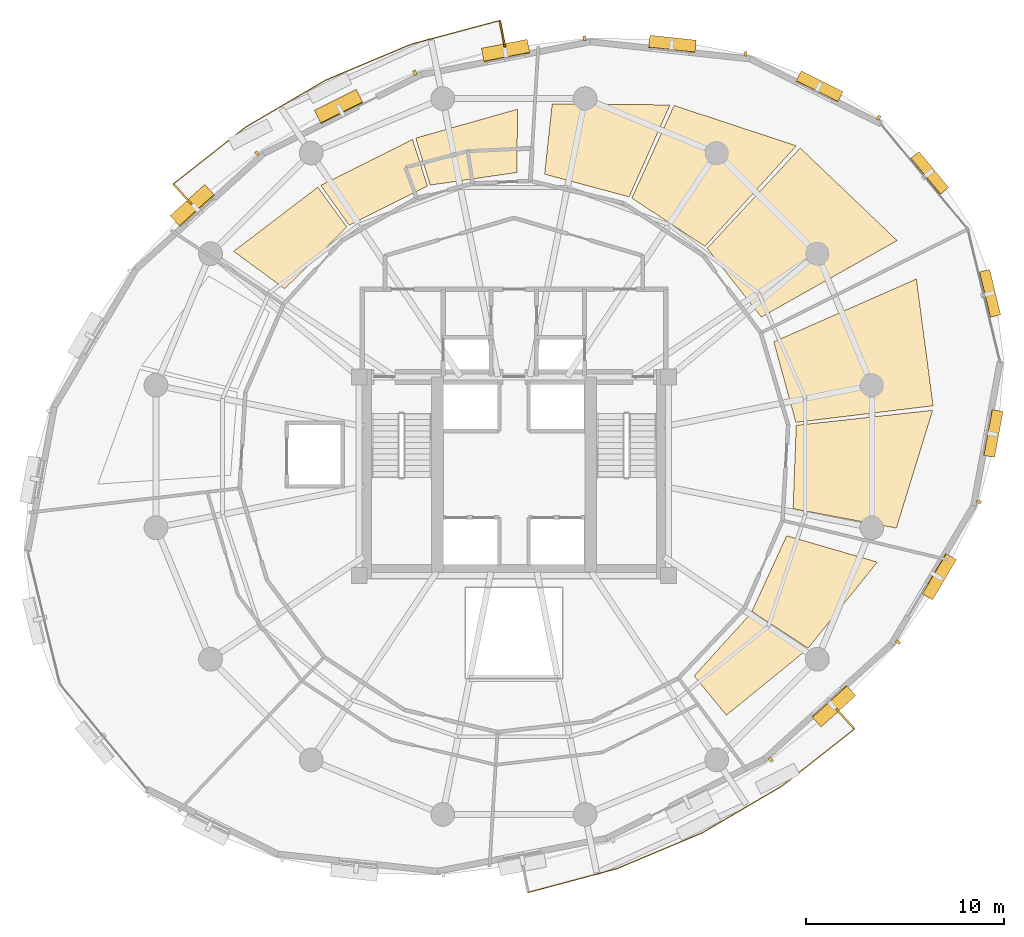
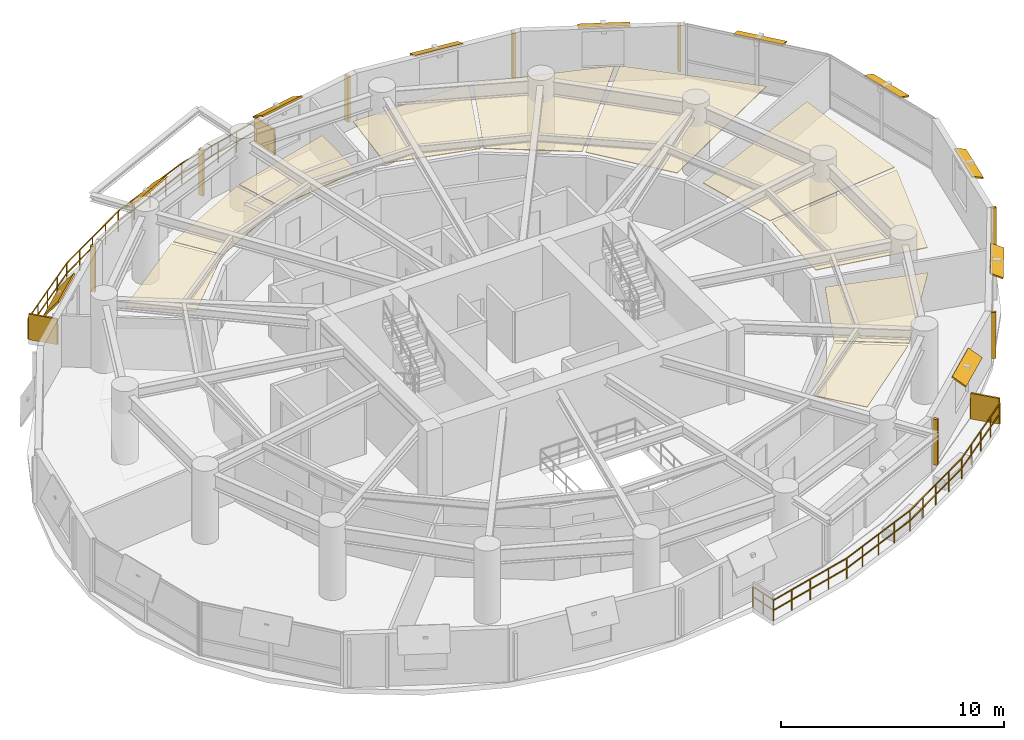
# One storey, part 14 of 14: 21 shading devices, 10 coverings, 2 railings.
"""IFC4 building model written with IfcOpenShell, lengths in metres."""

import ifcopenshell
import ifcopenshell.guid

model = None  # the IFC model being written
_history = None  # IfcOwnerHistory: only IFC2X3 demands one
_inside = {}  # id of a spatial element -> (the spatial element, [elements in it])
_under = {}  # id of a project, library or spatial element -> (it, [spatial elements below it])
_declared = {}  # id of a project -> (the project, [libraries it declares])
_typed = {}  # id of a type object -> (the type object, [elements of that type])
_made_of = {}  # id of a material, layer set ... -> (it, [elements and type objects made of it])


def new_model(schema):
    """Start an empty IFC model of exactly this schema.

    Asked for "IFC4X3", IfcOpenShell would pick the latest addendum, in which some entities
    have other attributes; the version numbers below select the first issue.
    IFC2X3 requires an IfcOwnerHistory on every rooted entity: one is made here for all.
    """
    global model, _history
    if schema == "IFC4X3":
        model = ifcopenshell.file(schema_version=(4, 3, 0, 0))
    else:
        model = ifcopenshell.file(schema=schema)
    _inside.clear()
    _under.clear()
    _declared.clear()
    _typed.clear()
    _made_of.clear()
    _history = None
    if model.schema == "IFC2X3":
        org = make("IfcOrganization", Name="unknown")
        user = make(
            "IfcPersonAndOrganization",
            ThePerson=make("IfcPerson", FamilyName="unknown"),
            TheOrganization=org,
        )
        app = make(
            "IfcApplication",
            ApplicationDeveloper=org,
            Version="unknown",
            ApplicationFullName="unknown",
            ApplicationIdentifier="unknown",
        )
        _history = make(
            "IfcOwnerHistory",
            OwningUser=user,
            OwningApplication=app,
            ChangeAction="ADDED",
            CreationDate=0,
        )
    return model


def make(cls, **values):
    """One entity of the class cls with the attributes given. An attribute that is None is left unset."""
    return model.create_entity(
        cls, **{name: value for name, value in values.items() if value is not None}
    )


def rooted(cls, **values):
    """An entity with a GlobalId (a new one), such as an element, a storey or a relation."""
    return make(cls, GlobalId=ifcopenshell.guid.new(), OwnerHistory=_history, **values)


def si_unit(unit_type, name, prefix=None):
    """IfcSIUnit, for example si_unit("LENGTHUNIT", "METRE", prefix="MILLI")."""
    return make("IfcSIUnit", UnitType=unit_type, Prefix=prefix, Name=name)


def assignment(units):
    """IfcUnitAssignment: the units of a project."""
    return None if units is None else make("IfcUnitAssignment", Units=units)


def point(xyz):
    """IfcCartesianPoint."""
    return None if xyz is None else make("IfcCartesianPoint", Coordinates=xyz)


def direction(xyz):
    """IfcDirection."""
    return None if xyz is None else make("IfcDirection", DirectionRatios=xyz)


def frame(location, z_axis=None, x_axis=None):
    """IfcAxis2Placement3D, a coordinate frame: its origin and axes. An axis left out is left unset."""
    return make(
        "IfcAxis2Placement3D",
        Location=point(location),
        Axis=direction(z_axis),
        RefDirection=direction(x_axis),
    )


def frame_2d(location, x_axis=None):
    """IfcAxis2Placement2D, a coordinate frame in the plane: its origin and x axis."""
    return make(
        "IfcAxis2Placement2D", Location=point(location), RefDirection=direction(x_axis)
    )


def origin():
    """The frame at (0, 0, 0) with its axes left unset."""
    return frame((0.0, 0.0, 0.0))


def origin_2d():
    """The frame at (0, 0) in the plane with its x axis left unset."""
    return frame_2d((0.0, 0.0))


def place(relative_to, where):
    """IfcLocalPlacement: puts the frame where relative to a parent placement (None: the world)."""
    return make(
        "IfcLocalPlacement", PlacementRelTo=relative_to, RelativePlacement=where
    )


def context(
    kind, dimensions, precision=None, world=None, true_north=None, identifier=None
):
    """IfcGeometricRepresentationContext, for example the 3D "Model" context."""
    return make(
        "IfcGeometricRepresentationContext",
        ContextIdentifier=identifier,
        ContextType=kind,
        CoordinateSpaceDimension=dimensions,
        Precision=precision,
        WorldCoordinateSystem=world,
        TrueNorth=true_north,
    )


def subcontext(parent, identifier, kind, view, scale=None):
    """IfcGeometricRepresentationSubContext, for example "Body" below "Model"."""
    return make(
        "IfcGeometricRepresentationSubContext",
        ContextIdentifier=identifier,
        ContextType=kind,
        ParentContext=parent,
        TargetScale=scale,
        TargetView=view,
    )


def project(units=None, contexts=None):
    """IfcProject with its units and contexts."""
    return rooted(
        "IfcProject",
        Name="project",
        RepresentationContexts=contexts,
        UnitsInContext=assignment(units),
    )


def spatial(cls, under=None, at=None, **own):
    """A site, building, storey or space (cls), placed at a placement, below another one or the project."""
    s = rooted(cls, ObjectPlacement=at, **own)
    if under is not None:
        _under.setdefault(under.id(), (under, []))[1].append(s)
    return s


def polyline(points):
    """IfcPolyline through the points."""
    return make("IfcPolyline", Points=[point(p) for p in points])


def profile(cls, at=None, kind="AREA", **sizes):
    """A parametric profile (cls). Its sizes go by their IFC names, for example OverallWidth=200.0."""
    return make(cls, ProfileType=kind, Position=at, **sizes)


def rectangle(**sizes):
    """IfcRectangleProfileDef."""
    return profile("IfcRectangleProfileDef", **sizes)


def outline(outer, holes=None, kind="AREA"):
    """IfcArbitraryClosedProfileDef: a profile drawn as a closed curve; with holes, ...WithVoids."""
    if holes is None:
        return make("IfcArbitraryClosedProfileDef", ProfileType=kind, OuterCurve=outer)
    return make(
        "IfcArbitraryProfileDefWithVoids",
        ProfileType=kind,
        OuterCurve=outer,
        InnerCurves=holes,
    )


def extrude(swept, where, along, depth):
    """IfcExtrudedAreaSolid: the profile swept, set in the frame where, extruded along a direction by depth."""
    return make(
        "IfcExtrudedAreaSolid",
        SweptArea=swept,
        Position=where,
        ExtrudedDirection=direction(along),
        Depth=depth,
    )


def shape(context_of_items, identifier, shape_type, items):
    """IfcShapeRepresentation: the items that make up one representation, for example the "Body"."""
    return make(
        "IfcShapeRepresentation",
        ContextOfItems=context_of_items,
        RepresentationIdentifier=identifier,
        RepresentationType=shape_type,
        Items=items,
    )


def material(Name=None, Category=None):
    """IfcMaterial."""
    return make("IfcMaterial", Name=Name, Category=Category)


def layer(
    of_material, thickness, ventilated=None, Name=None, Category=None, Priority=None
):
    """IfcMaterialLayer: one layer of a wall or slab, of a material (None: an air gap)."""
    return make(
        "IfcMaterialLayer",
        Material=of_material,
        LayerThickness=thickness,
        IsVentilated=ventilated,
        Name=Name,
        Category=Category,
        Priority=Priority,
    )


def layer_set(layers, Name=None):
    """IfcMaterialLayerSet."""
    return make("IfcMaterialLayerSet", MaterialLayers=layers, LayerSetName=Name)


def made_of(thing, what):
    """Note that an element or type object is made of a material, layer set ...; save() writes the relation."""
    if what is not None:
        _made_of.setdefault(what.id(), (what, []))[1].append(thing)
    return thing


def type_object(cls, material=None, **own):
    """A type object (cls), such as IfcWallType, which elements share."""
    return made_of(rooted(cls, **own), material)


def element(
    cls,
    number,
    at=None,
    inside=None,
    cuts=None,
    type_object=None,
    material=None,
    context=None,
    identifier="Body",
    shape_type=None,
    held_by="IfcProductDefinitionShape",
    body=None,
    shapes=None,
    **own,
):
    """One element of the class cls, such as IfcWall. Its Tag is "e" and its number.

    at: its placement. inside: the storey or other place that contains it. cuts: it is an
    opening in that element (IfcRelVoidsElement). A single representation is given by context,
    identifier, shape_type and body (its items); several are given by shapes. held_by: the class
    of the entity that holds the representations. save() writes the other relations.
    """
    e = rooted(cls, Tag="e%d" % number, ObjectPlacement=at, **own)
    if body is not None:
        shapes = [shape(context, identifier, shape_type, body)]
    if shapes is not None:
        e.Representation = make(held_by, Representations=shapes)
    if inside is not None:
        _inside.setdefault(inside.id(), (inside, []))[1].append(e)
    if cuts is not None:
        rooted(
            "IfcRelVoidsElement", RelatingBuildingElement=cuts, RelatedOpeningElement=e
        )
    if type_object is not None:
        _typed.setdefault(type_object.id(), (type_object, []))[1].append(e)
    return made_of(e, material)


def aggregate(whole, parts):
    """IfcRelAggregates: a whole, such as a stair, and the parts it consists of."""
    return rooted("IfcRelAggregates", RelatingObject=whole, RelatedObjects=parts)


def save(model, path):
    """Write the relations noted so far, then the file.

    IfcRelAggregates (storeys below a building ...), IfcRelContainedInSpatialStructure (elements
    in a storey), IfcRelDefinesByType, IfcRelAssociatesMaterial and IfcRelDeclares: one each for
    every whole, place, type object, material and project.
    """
    for whole, parts in _under.values():
        aggregate(whole, parts)
    for where, things in _inside.values():
        rooted(
            "IfcRelContainedInSpatialStructure",
            RelatedElements=things,
            RelatingStructure=where,
        )
    for kind, things in _typed.values():
        rooted("IfcRelDefinesByType", RelatedObjects=things, RelatingType=kind)
    for what, things in _made_of.values():
        rooted("IfcRelAssociatesMaterial", RelatedObjects=things, RelatingMaterial=what)
    for by, libraries in _declared.values():
        rooted("IfcRelDeclares", RelatingContext=by, RelatedDefinitions=libraries)
    model.write(path)


model = new_model("IFC4")

# Units and contexts
model_context = context("Model", 3, precision=1e-05, world=origin(), true_north=direction((0.0, 1.0)))
body_context = subcontext(model_context, "Body", "Model", "MODEL_VIEW")
ifc_project = project(units=[si_unit("LENGTHUNIT", "METRE"), si_unit("AREAUNIT", "SQUARE_METRE"), si_unit("VOLUMEUNIT", "CUBIC_METRE"), si_unit("PLANEANGLEUNIT", "RADIAN"), si_unit("MASSUNIT", "GRAM", prefix="KILO"), si_unit("THERMODYNAMICTEMPERATUREUNIT", "KELVIN"), si_unit("POWERUNIT", "WATT")], contexts=[model_context])

# Site, building, storey
site_placement = place(None, origin())
site = spatial("IfcSite", under=ifc_project, at=site_placement, CompositionType="ELEMENT")
building_placement = place(site_placement, origin())
building = spatial("IfcBuilding", under=site, at=building_placement, Name="Ocrelia Relay Tower", CompositionType="ELEMENT")
storey_placement = place(building_placement, frame((0.0, 0.0, 145.800048828125)))
storey = spatial("IfcBuildingStorey", under=building, at=storey_placement, Name="L34", CompositionType="ELEMENT", Elevation=145.800048828125)

# Coverings
ifc_material_1 = material(Name="Mineral-fiber acoustic ceiling tile", Category="gypsum")
ifc_layer_1 = layer(ifc_material_1, 0.0400390625, Name="Mineral-fiber acoustic ceiling tile")
ifc_layer_set_1 = layer_set([ifc_layer_1], Name="Mineral-fiber acoustic ceiling tile")
covering_type = type_object("IfcCoveringType", Name="COV-CEIL-ACOUSTIC", PredefinedType="CEILING", material=ifc_layer_set_1)
covering_1_placement = place(storey_placement, frame((0.0, 0.0, 2.719970703125)))
element("IfcCovering", 1, at=covering_1_placement, inside=storey, type_object=covering_type, Name="L34 Network Engineering Office Suspended Ceiling 1", PredefinedType="CEILING", context=body_context, shape_type="SweptSolid", body=[
    extrude(outline(polyline([(34.14990234375, 40.319091796875), (34.183349609375, 43.51220703125), (29.051025390625, 42.053466796875), (29.781494140625, 39.6845703125), (34.14990234375, 40.319091796875)])), origin(), (0.0, 0.0, 1.0), 0.0400390625),
])
covering_2_placement = place(storey_placement, frame((0.0, 0.0, 2.719970703125)))
element("IfcCovering", 2, at=covering_2_placement, inside=storey, type_object=covering_type, Name="L34 Network Engineering Office Suspended Ceiling 2", PredefinedType="CEILING", context=body_context, shape_type="SweptSolid", body=[
    extrude(outline(polyline([(29.63818359375, 39.6396484375), (28.886962890625, 41.9892578125), (24.259765625, 39.672119140625), (25.691162109375, 37.6630859375), (29.63818359375, 39.6396484375)])), origin(), (0.0, 0.0, 1.0), 0.0400390625),
])
covering_3_placement = place(storey_placement, frame((0.0, 0.0, 2.719970703125)))
element("IfcCovering", 3, at=covering_3_placement, inside=storey, type_object=covering_type, Name="L34 Network Engineering Office Suspended Ceiling 3", PredefinedType="CEILING", context=body_context, shape_type="SweptSolid", body=[
    extrude(outline(polyline([(25.5693359375, 37.5751953125), (24.110107421875, 39.5791015625), (19.86767578125, 36.343505859375), (22.4443359375, 34.45751953125), (25.5693359375, 37.5751953125)])), origin(), (0.0, 0.0, 1.0), 0.0400390625),
])
covering_4_placement = place(storey_placement, frame((0.0, 0.0, 2.719970703125)))
element("IfcCovering", 4, at=covering_4_placement, inside=storey, type_object=covering_type, Name="L34 Peering Conference Room Suspended Ceiling 1", PredefinedType="CEILING", context=body_context, shape_type="SweptSolid", body=[
    extrude(outline(polyline([(43.08935546875, 14.9345703125), (44.71484375, 12.95556640625), (48.698974609375, 16.197021484375), (45.91357421875, 18.0546875), (43.08935546875, 14.9345703125)])), origin(), (0.0, 0.0, 1.0), 0.0400390625),
])
covering_5_placement = place(storey_placement, frame((0.0, 0.0, 2.719970703125)))
element("IfcCovering", 5, at=covering_5_placement, inside=storey, type_object=covering_type, Name="L34 Peering Conference Room Suspended Ceiling 2", PredefinedType="CEILING", context=body_context, shape_type="SweptSolid", body=[
    extrude(outline(polyline([(45.99609375, 18.1796875), (48.83349609375, 16.330078125), (52.31982421875, 20.677490234375), (47.75146484375, 22.0048828125), (45.99609375, 18.1796875)])), origin(), (0.0, 0.0, 1.0), 0.0400390625),
])
covering_6_placement = place(storey_placement, frame((0.0, 0.0, 2.719970703125)))
element("IfcCovering", 6, at=covering_6_placement, inside=storey, type_object=covering_type, Name="L34 Carrier Patching Workspace Suspended Ceiling 1", PredefinedType="CEILING", context=body_context, shape_type="SweptSolid", body=[
    extrude(outline(polyline([(48.07568359375, 23.36572265625), (53.2841796875, 22.39111328125), (55.11279296875, 28.330810546875), (48.2333984375, 27.5712890625), (48.07568359375, 23.36572265625)])), origin(), (0.0, 0.0, 1.0), 0.0400390625),
])
covering_7_placement = place(storey_placement, frame((0.0, 0.0, 2.719970703125)))
element("IfcCovering", 7, at=covering_7_placement, inside=storey, type_object=covering_type, Name="L34 Carrier Patching Workspace Suspended Ceiling 2", PredefinedType="CEILING", context=body_context, shape_type="SweptSolid", body=[
    extrude(outline(polyline([(48.21630859375, 27.720458984375), (55.13720703125, 28.557861328125), (54.29345703125, 34.950439453125), (47.102294921875, 31.77880859375), (48.21630859375, 27.720458984375)])), origin(), (0.0, 0.0, 1.0), 0.0400390625),
])
covering_8_placement = place(storey_placement, frame((0.0, 0.0, 2.719970703125)))
element("IfcCovering", 8, at=covering_8_placement, inside=storey, type_object=covering_type, Name="L34 Shift Staff Lounge Suspended Ceiling 1", PredefinedType="CEILING", context=body_context, shape_type="SweptSolid", body=[
    extrude(outline(polyline([(46.475830078125, 33.02978515625), (53.3232421875, 36.88818359375), (48.4365234375, 41.5537109375), (43.74169921875, 36.49560546875), (46.475830078125, 33.02978515625)])), origin(), (0.0, 0.0, 1.0), 0.0400390625),
])
covering_9_placement = place(storey_placement, frame((0.0, 0.0, 2.719970703125)))
element("IfcCovering", 9, at=covering_9_placement, inside=storey, type_object=covering_type, Name="L34 Shift Staff Lounge Suspended Ceiling 2", PredefinedType="CEILING", context=body_context, shape_type="SweptSolid", body=[
    extrude(outline(polyline([(43.63134765625, 36.59716796875), (48.23828125, 41.666015625), (42.078125, 43.69873046875), (39.946044921875, 39.027099609375), (43.63134765625, 36.59716796875)])), origin(), (0.0, 0.0, 1.0), 0.0400390625),
])
covering_10_placement = place(storey_placement, frame((0.0, 0.0, 2.719970703125)))
element("IfcCovering", 10, at=covering_10_placement, inside=storey, type_object=covering_type, Name="L34 Shift Staff Lounge Suspended Ceiling 3", PredefinedType="CEILING", context=body_context, shape_type="SweptSolid", body=[
    extrude(outline(polyline([(39.80908203125, 39.088623046875), (41.86865234375, 43.72900390625), (35.930908203125, 43.77294921875), (35.546630859375, 40.236083984375), (39.80908203125, 39.088623046875)])), origin(), (0.0, 0.0, 1.0), 0.0400390625),
])

# Railings
ifc_material_2 = material(Name="Steel S355 balustrade", Category="steel")
railing_type = type_object("IfcRailingType", Name="RL-EXT-GUARD-1150", PredefinedType="GUARDRAIL", material=ifc_material_2)
railing_1_placement = place(storey_placement, frame((17.7587890625, 38.707763671875, 0.0)))
element("IfcRailing", 11, at=railing_1_placement, inside=storey, type_object=railing_type, Name="L34 Loggia Balcony Guard Rail B1", PredefinedType="GUARDRAIL", context=body_context, shape_type="SweptSolid", body=[
    extrude(rectangle(XDim=0.048095703125, YDim=0.048095703125, at=origin_2d()), frame((0.0, 0.0, 1.1259765625), z_axis=(-0.672480905357, 0.74011447218, 0.0), x_axis=(-0.74011447218, -0.672480905357, 0.0)), (0.0, 0.0, 1.0), 1.393310546875),
    extrude(rectangle(XDim=0.048095703125, YDim=0.048095703125, at=origin_2d()), frame((0.0, 0.0, 0.574951171875), z_axis=(-0.672480905357, 0.74011447218, 0.0), x_axis=(-0.74011447218, -0.672480905357, 0.0)), (0.0, 0.0, 1.0), 1.393310546875),
    extrude(rectangle(XDim=0.048095703125, YDim=0.048095703125, at=origin_2d()), frame((-0.93701171875, 1.03125, 1.1259765625), z_axis=(0.785608130717, 0.618724385289, 0.0), x_axis=(-0.618724385289, 0.785608130717, 0.0)), (0.0, 0.0, 1.0), 2.31591796875),
    extrude(rectangle(XDim=0.048095703125, YDim=0.048095703125, at=origin_2d()), frame((-0.93701171875, 1.03125, 0.574951171875), z_axis=(0.785608130717, 0.618724385289, 0.0), x_axis=(-0.618724385289, 0.785608130717, 0.0)), (0.0, 0.0, 1.0), 2.31591796875),
    extrude(rectangle(XDim=0.048095703125, YDim=0.048095703125, at=origin_2d()), frame((0.88232421875, 2.464111328125, 1.1259765625), z_axis=(0.785659374574, 0.618659314278, 0.0), x_axis=(-0.618659314278, 0.785659374574, 0.0)), (0.0, 0.0, 1.0), 2.315673828125),
    extrude(rectangle(XDim=0.048095703125, YDim=0.048095703125, at=origin_2d()), frame((0.88232421875, 2.464111328125, 0.574951171875), z_axis=(0.785659374574, 0.618659314278, 0.0), x_axis=(-0.618659314278, 0.785659374574, 0.0)), (0.0, 0.0, 1.0), 2.315673828125),
    extrude(rectangle(XDim=0.048095703125, YDim=0.048095703125, at=origin_2d()), frame((2.70166015625, 3.896728515625, 1.1259765625), z_axis=(0.862149938792, 0.506653217735, 0.0), x_axis=(-0.506653217735, 0.862149938792, 0.0)), (0.0, 0.0, 1.0), 4.682373046875),
    extrude(rectangle(XDim=0.048095703125, YDim=0.048095703125, at=origin_2d()), frame((2.70166015625, 3.896728515625, 0.574951171875), z_axis=(0.862149938792, 0.506653217735, 0.0), x_axis=(-0.506653217735, 0.862149938792, 0.0)), (0.0, 0.0, 1.0), 4.682373046875),
    extrude(rectangle(XDim=0.048095703125, YDim=0.048095703125, at=origin_2d()), frame((6.738525390625, 6.26904296875, 1.1259765625), z_axis=(0.922136181008, 0.38686543355, 0.0), x_axis=(-0.38686543355, 0.922136181008, 0.0)), (0.0, 0.0, 1.0), 4.681884765625),
    extrude(rectangle(XDim=0.048095703125, YDim=0.048095703125, at=origin_2d()), frame((6.738525390625, 6.26904296875, 0.574951171875), z_axis=(0.922136181008, 0.38686543355, 0.0), x_axis=(-0.38686543355, 0.922136181008, 0.0)), (0.0, 0.0, 1.0), 4.681884765625),
    extrude(rectangle(XDim=0.048095703125, YDim=0.048095703125, at=origin_2d()), frame((11.055908203125, 8.080322265625, 1.1259765625), z_axis=(0.966010600807, 0.258502454783, 0.0), x_axis=(-0.258502454783, 0.966010600807, 0.0)), (0.0, 0.0, 1.0), 2.315673828125),
    extrude(rectangle(XDim=0.048095703125, YDim=0.048095703125, at=origin_2d()), frame((11.055908203125, 8.080322265625, 0.574951171875), z_axis=(0.966010600807, 0.258502454783, 0.0), x_axis=(-0.258502454783, 0.966010600807, 0.0)), (0.0, 0.0, 1.0), 2.315673828125),
    extrude(rectangle(XDim=0.048095703125, YDim=0.048095703125, at=origin_2d()), frame((13.29296875, 8.678955078125, 1.1259765625), z_axis=(0.966036922871, 0.258404070496, 0.0), x_axis=(-0.258404070496, 0.966036922871, 0.0)), (0.0, 0.0, 1.0), 2.315673828125),
    extrude(rectangle(XDim=0.048095703125, YDim=0.048095703125, at=origin_2d()), frame((13.29296875, 8.678955078125, 0.574951171875), z_axis=(0.966036922871, 0.258404070496, 0.0), x_axis=(-0.258404070496, 0.966036922871, 0.0)), (0.0, 0.0, 1.0), 2.315673828125),
    extrude(rectangle(XDim=0.048095703125, YDim=0.048095703125, at=origin_2d()), frame((15.530029296875, 9.27734375, 1.1259765625), z_axis=(0.189945628819, -0.981794610951, 0.0), x_axis=(0.981794610951, 0.189945628819, 0.0)), (0.0, 0.0, 1.0), 1.393310546875),
    extrude(rectangle(XDim=0.048095703125, YDim=0.048095703125, at=origin_2d()), frame((15.530029296875, 9.27734375, 0.574951171875), z_axis=(0.189945628819, -0.981794610951, 0.0), x_axis=(0.981794610951, 0.189945628819, 0.0)), (0.0, 0.0, 1.0), 1.393310546875),
    extrude(rectangle(XDim=0.0419921875, YDim=0.0419921875, at=origin_2d()), origin(), (0.0, 0.0, 1.0), 1.101806640625),
    extrude(rectangle(XDim=0.0419921875, YDim=0.0419921875, at=origin_2d()), frame((-0.468505859375, 0.515625, 0.0)), (0.0, 0.0, 1.0), 1.101806640625),
    extrude(rectangle(XDim=0.0419921875, YDim=0.0419921875, at=origin_2d()), frame((-0.93701171875, 1.03125, 0.0)), (0.0, 0.0, 1.0), 1.101806640625),
    extrude(rectangle(XDim=0.0419921875, YDim=0.0419921875, at=origin_2d()), frame((-0.02734375, 1.74755859375, 0.0)), (0.0, 0.0, 1.0), 1.101806640625),
    extrude(rectangle(XDim=0.0419921875, YDim=0.0419921875, at=origin_2d()), frame((0.88232421875, 2.464111328125, 0.0)), (0.0, 0.0, 1.0), 1.101806640625),
    extrude(rectangle(XDim=0.0419921875, YDim=0.0419921875, at=origin_2d()), frame((1.7919921875, 3.180419921875, 0.0)), (0.0, 0.0, 1.0), 1.101806640625),
    extrude(rectangle(XDim=0.0419921875, YDim=0.0419921875, at=origin_2d()), frame((2.70166015625, 3.896728515625, 0.0)), (0.0, 0.0, 1.0), 1.101806640625),
    extrude(rectangle(XDim=0.0419921875, YDim=0.0419921875, at=origin_2d()), frame((3.7109375, 4.48974609375, 0.0)), (0.0, 0.0, 1.0), 1.101806640625),
    extrude(rectangle(XDim=0.0419921875, YDim=0.0419921875, at=origin_2d()), frame((4.72021484375, 5.0830078125, 0.0)), (0.0, 0.0, 1.0), 1.101806640625),
    extrude(rectangle(XDim=0.0419921875, YDim=0.0419921875, at=origin_2d()), frame((5.729248046875, 5.676025390625, 0.0)), (0.0, 0.0, 1.0), 1.101806640625),
    extrude(rectangle(XDim=0.0419921875, YDim=0.0419921875, at=origin_2d()), frame((6.738525390625, 6.26904296875, 0.0)), (0.0, 0.0, 1.0), 1.101806640625),
    extrude(rectangle(XDim=0.0419921875, YDim=0.0419921875, at=origin_2d()), frame((7.81787109375, 6.721923828125, 0.0)), (0.0, 0.0, 1.0), 1.101806640625),
    extrude(rectangle(XDim=0.0419921875, YDim=0.0419921875, at=origin_2d()), frame((8.897216796875, 7.1748046875, 0.0)), (0.0, 0.0, 1.0), 1.101806640625),
    extrude(rectangle(XDim=0.0419921875, YDim=0.0419921875, at=origin_2d()), frame((9.9765625, 7.62744140625, 0.0)), (0.0, 0.0, 1.0), 1.101806640625),
    extrude(rectangle(XDim=0.0419921875, YDim=0.0419921875, at=origin_2d()), frame((11.055908203125, 8.080322265625, 0.0)), (0.0, 0.0, 1.0), 1.101806640625),
    extrude(rectangle(XDim=0.0419921875, YDim=0.0419921875, at=origin_2d()), frame((12.17431640625, 8.379638671875, 0.0)), (0.0, 0.0, 1.0), 1.101806640625),
    extrude(rectangle(XDim=0.0419921875, YDim=0.0419921875, at=origin_2d()), frame((13.29296875, 8.678955078125, 0.0)), (0.0, 0.0, 1.0), 1.101806640625),
    extrude(rectangle(XDim=0.0419921875, YDim=0.0419921875, at=origin_2d()), frame((14.41162109375, 8.97802734375, 0.0)), (0.0, 0.0, 1.0), 1.101806640625),
    extrude(rectangle(XDim=0.0419921875, YDim=0.0419921875, at=origin_2d()), frame((15.530029296875, 9.27734375, 0.0)), (0.0, 0.0, 1.0), 1.101806640625),
    extrude(rectangle(XDim=0.0419921875, YDim=0.0419921875, at=origin_2d()), frame((15.662353515625, 8.59326171875, 0.0)), (0.0, 0.0, 1.0), 1.101806640625),
    extrude(rectangle(XDim=0.0419921875, YDim=0.0419921875, at=origin_2d()), frame((15.794677734375, 7.909423828125, 0.0)), (0.0, 0.0, 1.0), 1.101806640625),
])
railing_2_placement = place(storey_placement, frame((50.2412109375, 13.292236328125, 0.0)))
element("IfcRailing", 12, at=railing_2_placement, inside=storey, type_object=railing_type, Name="L34 Loggia Balcony Guard Rail B2", PredefinedType="GUARDRAIL", context=body_context, shape_type="SweptSolid", body=[
    extrude(rectangle(XDim=0.048095703125, YDim=0.048095703125, at=origin_2d()), frame((0.0, 0.0, 1.1259765625), z_axis=(0.672480905357, -0.74011447218, 0.0), x_axis=(0.74011447218, 0.672480905357, 0.0)), (0.0, 0.0, 1.0), 1.393310546875),
    extrude(rectangle(XDim=0.048095703125, YDim=0.048095703125, at=origin_2d()), frame((0.0, 0.0, 0.574951171875), z_axis=(0.672480905357, -0.74011447218, 0.0), x_axis=(0.74011447218, 0.672480905357, 0.0)), (0.0, 0.0, 1.0), 1.393310546875),
    extrude(rectangle(XDim=0.048095703125, YDim=0.048095703125, at=origin_2d()), frame((0.93701171875, -1.03125, 1.1259765625), z_axis=(-0.785608130717, -0.618724385289, 0.0), x_axis=(0.618724385289, -0.785608130717, 0.0)), (0.0, 0.0, 1.0), 2.31591796875),
    extrude(rectangle(XDim=0.048095703125, YDim=0.048095703125, at=origin_2d()), frame((0.93701171875, -1.03125, 0.574951171875), z_axis=(-0.785608130717, -0.618724385289, 0.0), x_axis=(0.618724385289, -0.785608130717, 0.0)), (0.0, 0.0, 1.0), 2.31591796875),
    extrude(rectangle(XDim=0.048095703125, YDim=0.048095703125, at=origin_2d()), frame((-0.88232421875, -2.464111328125, 1.1259765625), z_axis=(-0.785659374574, -0.618659314278, 0.0), x_axis=(0.618659314278, -0.785659374574, 0.0)), (0.0, 0.0, 1.0), 2.315673828125),
    extrude(rectangle(XDim=0.048095703125, YDim=0.048095703125, at=origin_2d()), frame((-0.88232421875, -2.464111328125, 0.574951171875), z_axis=(-0.785659374574, -0.618659314278, 0.0), x_axis=(0.618659314278, -0.785659374574, 0.0)), (0.0, 0.0, 1.0), 2.315673828125),
    extrude(rectangle(XDim=0.048095703125, YDim=0.048095703125, at=origin_2d()), frame((-2.70166015625, -3.896728515625, 1.1259765625), z_axis=(-0.862149938792, -0.506653217735, 0.0), x_axis=(0.506653217735, -0.862149938792, 0.0)), (0.0, 0.0, 1.0), 4.682373046875),
    extrude(rectangle(XDim=0.048095703125, YDim=0.048095703125, at=origin_2d()), frame((-2.70166015625, -3.896728515625, 0.574951171875), z_axis=(-0.862149938792, -0.506653217735, 0.0), x_axis=(0.506653217735, -0.862149938792, 0.0)), (0.0, 0.0, 1.0), 4.682373046875),
    extrude(rectangle(XDim=0.048095703125, YDim=0.048095703125, at=origin_2d()), frame((-6.738525390625, -6.26904296875, 1.1259765625), z_axis=(-0.922136181008, -0.38686543355, 0.0), x_axis=(0.38686543355, -0.922136181008, 0.0)), (0.0, 0.0, 1.0), 4.681884765625),
    extrude(rectangle(XDim=0.048095703125, YDim=0.048095703125, at=origin_2d()), frame((-6.738525390625, -6.26904296875, 0.574951171875), z_axis=(-0.922136181008, -0.38686543355, 0.0), x_axis=(0.38686543355, -0.922136181008, 0.0)), (0.0, 0.0, 1.0), 4.681884765625),
    extrude(rectangle(XDim=0.048095703125, YDim=0.048095703125, at=origin_2d()), frame((-11.055908203125, -8.080322265625, 1.1259765625), z_axis=(-0.966010600807, -0.258502454783, 0.0), x_axis=(0.258502454783, -0.966010600807, 0.0)), (0.0, 0.0, 1.0), 2.315673828125),
    extrude(rectangle(XDim=0.048095703125, YDim=0.048095703125, at=origin_2d()), frame((-11.055908203125, -8.080322265625, 0.574951171875), z_axis=(-0.966010600807, -0.258502454783, 0.0), x_axis=(0.258502454783, -0.966010600807, 0.0)), (0.0, 0.0, 1.0), 2.315673828125),
    extrude(rectangle(XDim=0.048095703125, YDim=0.048095703125, at=origin_2d()), frame((-13.29296875, -8.678955078125, 1.1259765625), z_axis=(-0.966036922871, -0.258404070496, 0.0), x_axis=(0.258404070496, -0.966036922871, 0.0)), (0.0, 0.0, 1.0), 2.315673828125),
    extrude(rectangle(XDim=0.048095703125, YDim=0.048095703125, at=origin_2d()), frame((-13.29296875, -8.678955078125, 0.574951171875), z_axis=(-0.966036922871, -0.258404070496, 0.0), x_axis=(0.258404070496, -0.966036922871, 0.0)), (0.0, 0.0, 1.0), 2.315673828125),
    extrude(rectangle(XDim=0.048095703125, YDim=0.048095703125, at=origin_2d()), frame((-15.530029296875, -9.27734375, 1.1259765625), z_axis=(-0.189945628819, 0.981794610951, 0.0), x_axis=(-0.981794610951, -0.189945628819, 0.0)), (0.0, 0.0, 1.0), 1.393310546875),
    extrude(rectangle(XDim=0.048095703125, YDim=0.048095703125, at=origin_2d()), frame((-15.530029296875, -9.27734375, 0.574951171875), z_axis=(-0.189945628819, 0.981794610951, 0.0), x_axis=(-0.981794610951, -0.189945628819, 0.0)), (0.0, 0.0, 1.0), 1.393310546875),
    extrude(rectangle(XDim=0.0419921875, YDim=0.0419921875, at=origin_2d()), origin(), (0.0, 0.0, 1.0), 1.101806640625),
    extrude(rectangle(XDim=0.0419921875, YDim=0.0419921875, at=origin_2d()), frame((0.468505859375, -0.515625, 0.0)), (0.0, 0.0, 1.0), 1.101806640625),
    extrude(rectangle(XDim=0.0419921875, YDim=0.0419921875, at=origin_2d()), frame((0.93701171875, -1.03125, 0.0)), (0.0, 0.0, 1.0), 1.101806640625),
    extrude(rectangle(XDim=0.0419921875, YDim=0.0419921875, at=origin_2d()), frame((0.02734375, -1.74755859375, 0.0)), (0.0, 0.0, 1.0), 1.101806640625),
    extrude(rectangle(XDim=0.0419921875, YDim=0.0419921875, at=origin_2d()), frame((-0.88232421875, -2.464111328125, 0.0)), (0.0, 0.0, 1.0), 1.101806640625),
    extrude(rectangle(XDim=0.0419921875, YDim=0.0419921875, at=origin_2d()), frame((-1.7919921875, -3.180419921875, 0.0)), (0.0, 0.0, 1.0), 1.101806640625),
    extrude(rectangle(XDim=0.0419921875, YDim=0.0419921875, at=origin_2d()), frame((-2.70166015625, -3.896728515625, 0.0)), (0.0, 0.0, 1.0), 1.101806640625),
    extrude(rectangle(XDim=0.0419921875, YDim=0.0419921875, at=origin_2d()), frame((-3.7109375, -4.48974609375, 0.0)), (0.0, 0.0, 1.0), 1.101806640625),
    extrude(rectangle(XDim=0.0419921875, YDim=0.0419921875, at=origin_2d()), frame((-4.72021484375, -5.0830078125, 0.0)), (0.0, 0.0, 1.0), 1.101806640625),
    extrude(rectangle(XDim=0.0419921875, YDim=0.0419921875, at=origin_2d()), frame((-5.729248046875, -5.676025390625, 0.0)), (0.0, 0.0, 1.0), 1.101806640625),
    extrude(rectangle(XDim=0.0419921875, YDim=0.0419921875, at=origin_2d()), frame((-6.738525390625, -6.26904296875, 0.0)), (0.0, 0.0, 1.0), 1.101806640625),
    extrude(rectangle(XDim=0.0419921875, YDim=0.0419921875, at=origin_2d()), frame((-7.81787109375, -6.721923828125, 0.0)), (0.0, 0.0, 1.0), 1.101806640625),
    extrude(rectangle(XDim=0.0419921875, YDim=0.0419921875, at=origin_2d()), frame((-8.897216796875, -7.1748046875, 0.0)), (0.0, 0.0, 1.0), 1.101806640625),
    extrude(rectangle(XDim=0.0419921875, YDim=0.0419921875, at=origin_2d()), frame((-9.9765625, -7.62744140625, 0.0)), (0.0, 0.0, 1.0), 1.101806640625),
    extrude(rectangle(XDim=0.0419921875, YDim=0.0419921875, at=origin_2d()), frame((-11.055908203125, -8.080322265625, 0.0)), (0.0, 0.0, 1.0), 1.101806640625),
    extrude(rectangle(XDim=0.0419921875, YDim=0.0419921875, at=origin_2d()), frame((-12.17431640625, -8.379638671875, 0.0)), (0.0, 0.0, 1.0), 1.101806640625),
    extrude(rectangle(XDim=0.0419921875, YDim=0.0419921875, at=origin_2d()), frame((-13.29296875, -8.678955078125, 0.0)), (0.0, 0.0, 1.0), 1.101806640625),
    extrude(rectangle(XDim=0.0419921875, YDim=0.0419921875, at=origin_2d()), frame((-14.41162109375, -8.97802734375, 0.0)), (0.0, 0.0, 1.0), 1.101806640625),
    extrude(rectangle(XDim=0.0419921875, YDim=0.0419921875, at=origin_2d()), frame((-15.530029296875, -9.27734375, 0.0)), (0.0, 0.0, 1.0), 1.101806640625),
    extrude(rectangle(XDim=0.0419921875, YDim=0.0419921875, at=origin_2d()), frame((-15.662353515625, -8.59326171875, 0.0)), (0.0, 0.0, 1.0), 1.101806640625),
    extrude(rectangle(XDim=0.0419921875, YDim=0.0419921875, at=origin_2d()), frame((-15.794677734375, -7.909423828125, 0.0)), (0.0, 0.0, 1.0), 1.101806640625),
])

# Shading devices
ifc_material_3 = material(Name="Perforated oxide terracotta solar screen", Category="masonry")
ifc_layer_2 = layer(ifc_material_3, 0.090087890625, Name="Perforated oxide terracotta solar screen")
ifc_layer_set_2 = layer_set([ifc_layer_2], Name="Perforated oxide terracotta solar screen")
shading_device_type_1 = type_object("IfcShadingDeviceType", Name="SH-BALC-SCREEN", PredefinedType="USERDEFINED", material=ifc_layer_set_2)
for number, where, z_axis, x_axis, name in (
    (13, (33.421142578125, 47.301025390625, 0.0), (0.0, 0.0, 1.0), (-0.189888021778, 0.981805754304, 0.0), "L34 Balcony Perforated Terracotta Screen B1-1"),
    (14, (17.290283203125, 39.223388671875, 0.0), (0.0, 0.0, 1.0), (-0.672458438464, 0.740134885368, 0.0), "L34 Balcony Perforated Terracotta Screen B1-2"),
    (15, (50.709716796875, 12.776611328125, 0.0), (0.0, 0.0, 1.0), (0.672458438464, -0.740134885368, 0.0), "L34 Balcony Perforated Terracotta Screen B2-2"),
):
    element("IfcShadingDevice", number, at=place(storey_placement, frame(where, z_axis=z_axis, x_axis=x_axis)), inside=storey, type_object=shading_device_type_1, Name=name, ObjectType="SCREEN", PredefinedType="USERDEFINED", context=body_context, shape_type="SweptSolid", body=[
        extrude(rectangle(XDim=1.340087890625, YDim=0.090087890625, at=origin_2d()), origin(), (0.0, 0.0, 1.0), 1.39990234375),
    ])
ifc_material_4 = material(Name="Extruded oxide terracotta vertical baguette", Category="masonry")
shading_device_type_2 = type_object("IfcShadingDeviceType", Name="SH-TERR-BAGUETTE", PredefinedType="USERDEFINED", material=ifc_material_4)
for number, where, z_axis, x_axis, name in (
    (16, (52.3955078125, 43.078125, 0.199951171875), (0.0, 0.0, 1.0), (-0.895863643789, 0.444329080455, 0.0), "L34 Oxide Terracotta Vertical Baguette 02"),
    (17, (45.6796875, 46.30029296875, 0.199951171875), (0.0, 0.0, 1.0), (-0.994303825095, 0.106582847596, 0.0), "L34 Oxide Terracotta Vertical Baguette 03"),
    (18, (37.565185546875, 47.088623046875, 0.199951171875), (0.0, 0.0, 1.0), (-0.981530321483, -0.191306633471, 0.0), "L34 Oxide Terracotta Vertical Baguette 04"),
    (19, (29.014404296875, 45.347900390625, 0.199951171875), (0.0, 0.0, 1.0), (-0.894154832082, -0.447757899165, 0.0), "L34 Oxide Terracotta Vertical Baguette 05"),
    (20, (21.050048828125, 41.278076171875, 0.199951171875), (0.0, 0.0, 1.0), (-0.741140940213, -0.671349466925, 0.0), "L34 Oxide Terracotta Vertical Baguette 06"),
    (21, (46.949951171875, 10.721923828125, 0.199951171875), (0.0, 0.0, 1.0), (0.741140940213, 0.671349466925, 0.0), "L34 Oxide Terracotta Vertical Baguette 15"),
    (22, (53.36572265625, 16.642822265625, 0.199951171875), (0.0, 0.0, 1.0), (0.510271295051, 0.860013491433, 0.0), "L34 Oxide Terracotta Vertical Baguette 16"),
    (23, (57.44580078125, 23.710205078125, 0.199951171875), (0.0, 0.0, 1.0), (0.180855268319, 0.983509721315, 0.0), "L34 Oxide Terracotta Vertical Baguette 17"),
):
    element("IfcShadingDevice", number, at=place(storey_placement, frame(where, z_axis=z_axis, x_axis=x_axis)), inside=storey, type_object=shading_device_type_2, Name=name, ObjectType="BAGUETTE", PredefinedType="USERDEFINED", context=body_context, shape_type="SweptSolid", body=[
        extrude(rectangle(XDim=0.139892578125, YDim=0.239990234375, at=origin_2d()), origin(), (0.0, 0.0, 1.0), 2.5),
    ])
ifc_material_5 = material(Name="Extruded oxide terracotta fin", Category="masonry")
ifc_layer_3 = layer(ifc_material_5, 0.080078125, Name="Extruded oxide terracotta fin")
ifc_layer_set_3 = layer_set([ifc_layer_3], Name="Extruded oxide terracotta fin")
shading_device_type_3 = type_object("IfcShadingDeviceType", Name="SH-VISOR-FIN-MED", PredefinedType="USERDEFINED", material=ifc_layer_set_3)
shading_device_1_placement = place(storey_placement, frame((33.5849609375, 46.438720703125, 2.7060546875), z_axis=(-0.102225149049, 0.524483033282, 0.845261833222), x_axis=(-0.981530321483, -0.191306633471, 0.0)))
element("IfcShadingDevice", 24, at=shading_device_1_placement, inside=storey, type_object=shading_device_type_3, Name="L34 Canted Terracotta Sun-Visor Fin 04", ObjectType="FIN", PredefinedType="USERDEFINED", context=body_context, shape_type="SweptSolid", body=[
    extrude(rectangle(XDim=2.35009765625, YDim=0.7880859375, at=origin_2d()), origin(), (0.0, 0.0, 1.0), 0.080078125),
])
shading_device_2_placement = place(storey_placement, frame((25.17724609375, 43.61865234375, 2.71044921875), z_axis=(-0.303479010052, 0.606035591509, 0.735269577966), x_axis=(-0.894154832082, -0.447757899165, 0.0)))
element("IfcShadingDevice", 25, at=shading_device_2_placement, inside=storey, type_object=shading_device_type_3, Name="L34 Canted Terracotta Sun-Visor Fin 05", ObjectType="FIN", PredefinedType="USERDEFINED", context=body_context, shape_type="SweptSolid", body=[
    extrude(rectangle(XDim=2.35009765625, YDim=0.9609375, at=origin_2d()), origin(), (0.0, 0.0, 1.0), 0.080078125),
])
shading_device_3_placement = place(storey_placement, frame((17.81396484375, 38.627197265625, 2.7158203125), z_axis=(-0.535528216729, 0.591200120967, 0.603068773902), x_axis=(-0.741140940213, -0.671349466925, 0.0)))
element("IfcShadingDevice", 26, at=shading_device_3_placement, inside=storey, type_object=shading_device_type_3, Name="L34 Canted Terracotta Sun-Visor Fin 06", ObjectType="FIN", PredefinedType="USERDEFINED", context=body_context, shape_type="SweptSolid", body=[
    extrude(rectangle(XDim=2.35009765625, YDim=1.132080078125, at=origin_2d()), origin(), (0.0, 0.0, 1.0), 0.080078125),
])
ifc_layer_4 = layer(ifc_material_5, 0.080078125, Name="Extruded oxide terracotta fin")
ifc_layer_set_4 = layer_set([ifc_layer_4], Name="Extruded oxide terracotta fin")
shading_device_type_4 = type_object("IfcShadingDeviceType", Name="SH-VISOR-FIN-SHAL", PredefinedType="USERDEFINED", material=ifc_layer_set_4)
shading_device_4_placement = place(storey_placement, frame((54.9501953125, 40.28369140625, 2.701904296875), z_axis=(0.242171941714, 0.200120209812, 0.94937066116), x_axis=(-0.637004659062, 0.77085995118, 0.0)))
element("IfcShadingDevice", 27, at=shading_device_4_placement, inside=storey, type_object=shading_device_type_4, Name="L34 Canted Terracotta Sun-Visor Fin 01", ObjectType="FIN", PredefinedType="USERDEFINED", context=body_context, shape_type="SweptSolid", body=[
    extrude(rectangle(XDim=2.35009765625, YDim=0.554931640625, at=origin_2d()), origin(), (0.0, 0.0, 1.0), 0.080078125),
])
shading_device_5_placement = place(storey_placement, frame((49.40185546875, 44.643798828125, 2.702392578125), z_axis=(0.154371777912, 0.31124693283, 0.937707150974), x_axis=(-0.895863643789, 0.444329080455, 0.0)))
element("IfcShadingDevice", 28, at=shading_device_5_placement, inside=storey, type_object=shading_device_type_4, Name="L34 Canted Terracotta Sun-Visor Fin 02", ObjectType="FIN", PredefinedType="USERDEFINED", context=body_context, shape_type="SweptSolid", body=[
    extrude(rectangle(XDim=2.35009765625, YDim=0.589111328125, at=origin_2d()), origin(), (0.0, 0.0, 1.0), 0.080078125),
])
shading_device_6_placement = place(storey_placement, frame((41.99169921875, 46.783203125, 2.70361328125), z_axis=(0.044588157332, 0.41595975702, 0.908289258312), x_axis=(-0.994303825095, 0.106582847596, 0.0)))
element("IfcShadingDevice", 29, at=shading_device_6_placement, inside=storey, type_object=shading_device_type_4, Name="L34 Canted Terracotta Sun-Visor Fin 03", ObjectType="FIN", PredefinedType="USERDEFINED", context=body_context, shape_type="SweptSolid", body=[
    extrude(rectangle(XDim=2.35009765625, YDim=0.662109375, at=origin_2d()), origin(), (0.0, 0.0, 1.0), 0.080078125),
])
shading_device_7_placement = place(storey_placement, frame((50.11328125, 13.42724609375, 2.705810546875), z_axis=(0.346674038673, -0.382713230036, 0.856357223631), x_axis=(0.741140940213, 0.671349466925, 0.0)))
element("IfcShadingDevice", 30, at=shading_device_7_placement, inside=storey, type_object=shading_device_type_4, Name="L34 Canted Terracotta Sun-Visor Fin 15", ObjectType="FIN", PredefinedType="USERDEFINED", context=body_context, shape_type="SweptSolid", body=[
    extrude(rectangle(XDim=2.35009765625, YDim=0.76806640625, at=origin_2d()), origin(), (0.0, 0.0, 1.0), 0.080078125),
])
shading_device_8_placement = place(storey_placement, frame((55.42529296875, 19.950439453125, 2.703369140625), z_axis=(0.347466359854, -0.206162009312, 0.914748246616), x_axis=(0.510271295051, 0.860013491433, 0.0)))
element("IfcShadingDevice", 31, at=shading_device_8_placement, inside=storey, type_object=shading_device_type_4, Name="L34 Canted Terracotta Sun-Visor Fin 16", ObjectType="FIN", PredefinedType="USERDEFINED", context=body_context, shape_type="SweptSolid", body=[
    extrude(rectangle(XDim=2.35009765625, YDim=0.64697265625, at=origin_2d()), origin(), (0.0, 0.0, 1.0), 0.080078125),
])
shading_device_9_placement = place(storey_placement, frame((58.152587890625, 27.16455078125, 2.702392578125), z_axis=(0.332990525739, -0.061232837434, 0.940939875544), x_axis=(0.180855268319, 0.983509721315, 0.0)))
element("IfcShadingDevice", 32, at=shading_device_9_placement, inside=storey, type_object=shading_device_type_4, Name="L34 Canted Terracotta Sun-Visor Fin 17", ObjectType="FIN", PredefinedType="USERDEFINED", context=body_context, shape_type="SweptSolid", body=[
    extrude(rectangle(XDim=2.35009765625, YDim=0.580078125, at=origin_2d()), origin(), (0.0, 0.0, 1.0), 0.080078125),
])
shading_device_10_placement = place(storey_placement, frame((57.986328125, 34.218994140625, 2.701904296875), z_axis=(0.302570350578, 0.073373977587, 0.950298606946), x_axis=(-0.235671587189, 0.97183275464, 0.0)))
element("IfcShadingDevice", 33, at=shading_device_10_placement, inside=storey, type_object=shading_device_type_4, Name="L34 Canted Terracotta Sun-Visor Fin 18", ObjectType="FIN", PredefinedType="USERDEFINED", context=body_context, shape_type="SweptSolid", body=[
    extrude(rectangle(XDim=2.35009765625, YDim=0.552001953125, at=origin_2d()), origin(), (0.0, 0.0, 1.0), 0.080078125),
])

save(model, "model.ifc")
